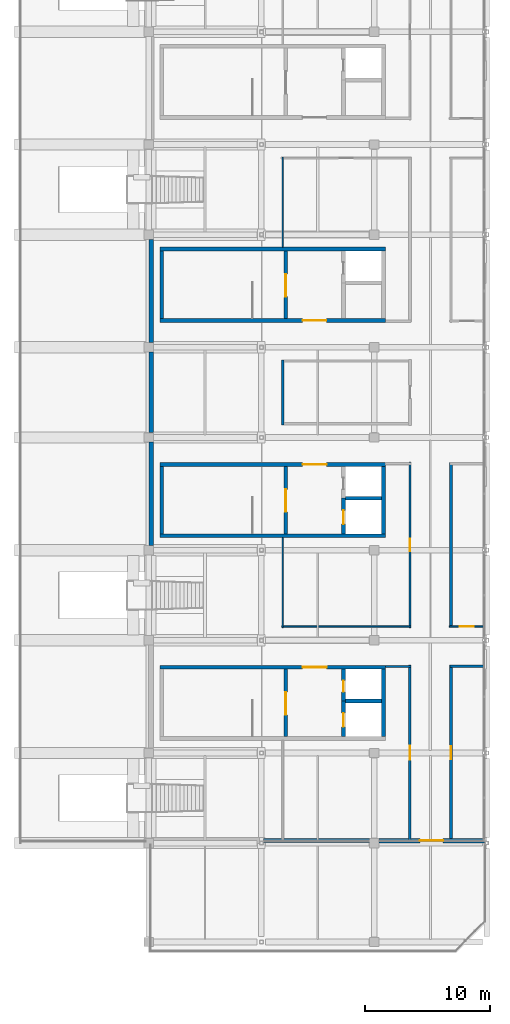
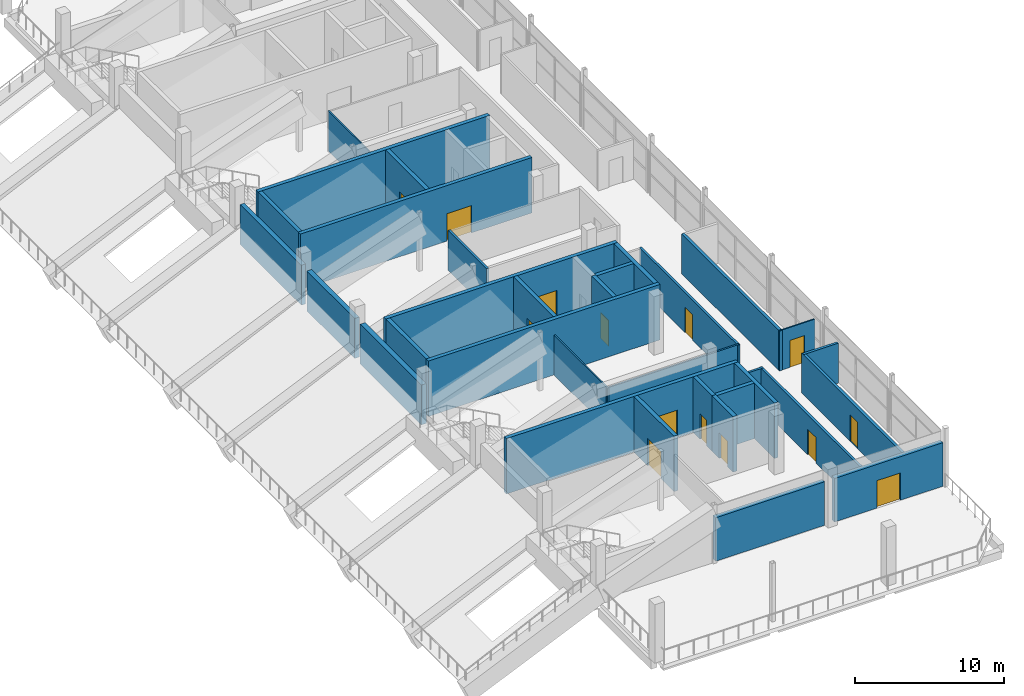
# One storey, part 53 of 66: 33 walls, 14 doors, 14 openings.
"""IFC4 building model written with IfcOpenShell, lengths in metres."""

from ifc_helpers import new_model, si_unit, direction, frame, frame_2d, origin, place, context, subcontext, project, spatial, rectangle, extrude, material, layer, layer_set, type_object, element, fill, save


model = new_model("IFC4")

# Units and contexts
model_context = context("Model", 3, precision=1e-05, world=origin(), true_north=direction((0.0, 1.0)))
body_context = subcontext(model_context, "Body", "Model", "MODEL_VIEW")
ifc_project = project(units=[si_unit("LENGTHUNIT", "METRE"), si_unit("AREAUNIT", "SQUARE_METRE"), si_unit("VOLUMEUNIT", "CUBIC_METRE"), si_unit("PLANEANGLEUNIT", "RADIAN"), si_unit("MASSUNIT", "GRAM", prefix="KILO"), si_unit("THERMODYNAMICTEMPERATUREUNIT", "KELVIN"), si_unit("POWERUNIT", "WATT")], contexts=[model_context])

# Site, building, storey
site_placement = place(None, origin())
site = spatial("IfcSite", under=ifc_project, at=site_placement, CompositionType="ELEMENT")
building_placement = place(site_placement, origin())
building = spatial("IfcBuilding", under=site, at=building_placement, Name="Sindhuravela Promenade Stadium", CompositionType="ELEMENT")
storey_placement = place(building_placement, frame((0.0, 0.0, 19.199951171875)))
storey = spatial("IfcBuildingStorey", under=building, at=storey_placement, Name="L04", CompositionType="ELEMENT", Elevation=19.199951171875)

# Walls
ifc_material_1 = material(Name="Terracotta clay brick masonry (15 MPa)", Category="masonry")
ifc_layer_1 = layer(ifc_material_1, 0.340087890625)
ifc_layer_set_1 = layer_set([ifc_layer_1], Name="Terracotta clay brick masonry (15 MPa)")
wall_type_1 = type_object("IfcWallType", Name="EX-WL-BRK340", PredefinedType="SOLIDWALL", material=ifc_layer_set_1)
wall_1_placement = place(storey_placement, frame((180.199951171875, 84.97998046875, 0.0), z_axis=(0.0, 0.0, 1.0), x_axis=(0.0, 1.0, 0.0)))
element("IfcWall", 1, at=wall_1_placement, inside=storey, type_object=wall_type_1, Name="Exterior masonry wall EW06 EAST L04", PredefinedType="SOLIDWALL", context=body_context, shape_type="SweptSolid", body=[
    extrude(rectangle(XDim=8.239990234375, YDim=0.340087890625, at=frame_2d((4.1201171875, 0.0))), origin(), (0.0, 0.0, 1.0), 3.280029296875),
])
wall_2_placement = place(storey_placement, frame((197.6201171875, 45.199951171875, 0.0), z_axis=(0.0, 0.0, 1.0), x_axis=(-1.0, 0.0, 0.0)))
element("IfcWall", 2, at=wall_2_placement, inside=storey, type_object=wall_type_1, Name="Exterior masonry wall EW06 EAST L04", PredefinedType="SOLIDWALL", context=body_context, shape_type="SweptSolid", body=[
    extrude(rectangle(XDim=8.465087890625, YDim=0.340087890625, at=frame_2d((4.232421875, 0.0))), origin(), (0.0, 0.0, 1.0), 3.580078125),
])
ifc_layer_2 = layer(ifc_material_1, 0.360107421875)
ifc_layer_set_2 = layer_set([ifc_layer_2], Name="Terracotta clay brick masonry (15 MPa)")
wall_type_2 = type_object("IfcWallType", Name="EX-WL-BRK360", PredefinedType="SOLIDWALL", material=ifc_layer_set_2)
wall_3_placement = place(storey_placement, frame((180.199951171875, 77.780029296875, 0.0), z_axis=(0.0, 0.0, 1.0), x_axis=(0.0, 1.0, 0.0)))
element("IfcWall", 3, at=wall_3_placement, inside=storey, type_object=wall_type_2, Name="Exterior masonry wall EW05 EAST L04", PredefinedType="SOLIDWALL", context=body_context, shape_type="SweptSolid", body=[
    extrude(rectangle(XDim=6.43994140625, YDim=0.360107421875, at=frame_2d((3.219970703125, 0.0))), origin(), (0.0, 0.0, 1.0), 3.280029296875),
])

# Wall, opening, door
wall_4_placement = place(storey_placement, frame((206.800048828125, 45.199951171875, 0.0), z_axis=(0.0, 0.0, 1.0), x_axis=(-1.0, 0.0, 0.0)))
wall_4 = element("IfcWall", 4, at=wall_4_placement, inside=storey, type_object=wall_type_2, Name="Exterior masonry wall EW05 EAST L04", PredefinedType="SOLIDWALL", context=body_context, shape_type="SweptSolid", body=[
    extrude(rectangle(XDim=8.420166015625, YDim=0.360107421875, at=frame_2d((4.2099609375, 0.0))), origin(), (0.0, 0.0, 1.0), 3.580078125),
])
opening_1_placement = place(wall_4_placement, frame((3.284912109375, 0.0, 0.0)))
opening_1 = element("IfcOpeningElement", 5, at=opening_1_placement, cuts=wall_4, Name="Opening TD02", PredefinedType="OPENING", context=body_context, shape_type="SweptSolid", body=[
    extrude(rectangle(XDim=1.85009765625, YDim=2.25, at=frame_2d((0.925048828125, 1.125))), frame((0.0, 0.18994140625, 0.0), z_axis=(0.0, -1.0, 0.0), x_axis=(1.0, 0.0, 0.0)), (0.0, 0.0, 1.0), 0.380126953125),
])
ifc_material_2 = material(Name="Anodised architectural aluminium 6063-T6", Category="aluminium")
door_type_1 = type_object("IfcDoorType", Name="DR-TER-1850x2250", OperationType="DOUBLE_DOOR_SINGLE_SWING", PredefinedType="DOOR", material=ifc_material_2)
door_1_placement = place(opening_1_placement, origin())
door_1 = element("IfcDoor", 6, at=door_1_placement, inside=storey, type_object=door_type_1, Name="Terrace access door East Upper South Planted Roof Garden", OperationType="DOUBLE_DOOR_SINGLE_SWING", OverallHeight=2.25, OverallWidth=1.85009765625, PredefinedType="DOOR", context=body_context, shape_type="SweptSolid", body=[
    extrude(rectangle(XDim=1.85009765625, YDim=2.25, at=frame_2d((0.925048828125, 1.125))), frame((0.0, 0.02490234375, 0.0), z_axis=(0.0, -1.0, 0.0), x_axis=(1.0, 0.0, 0.0)), (0.0, 0.0, 1.0), 0.050048828125),
])
fill(opening_1, door_1)

# Walls
ifc_layer_3 = layer(ifc_material_1, 0.3798828125)
ifc_layer_set_3 = layer_set([ifc_layer_3], Name="Terracotta clay brick masonry (15 MPa)")
wall_type_3 = type_object("IfcWallType", Name="EX-WL-BRK380", PredefinedType="SOLIDWALL", material=ifc_layer_set_3)
wall_5_placement = place(storey_placement, frame((180.199951171875, 68.780029296875, 0.0), z_axis=(0.0, 0.0, 1.0), x_axis=(0.0, 1.0, 0.0)))
element("IfcWall", 7, at=wall_5_placement, inside=storey, type_object=wall_type_3, Name="Exterior masonry wall EW04 EAST L04", PredefinedType="SOLIDWALL", context=body_context, shape_type="SweptSolid", body=[
    extrude(rectangle(XDim=8.239990234375, YDim=0.3798828125, at=frame_2d((4.1201171875, 0.0))), origin(), (0.0, 0.0, 1.0), 3.280029296875),
])
ifc_material_3 = material(Name="Fire-rated gypsum partition board", Category="gypsum")
ifc_layer_4 = layer(ifc_material_3, 0.110107421875)
ifc_layer_set_4 = layer_set([ifc_layer_4], Name="Fire-rated gypsum partition board")
wall_type_4 = type_object("IfcWallType", Name="IN-WL-PAR110", PredefinedType="PARTITIONING", material=ifc_layer_set_4)
for number, where, z_axis, x_axis, name in (
    (8, (190.7099609375, 92.60205078125, 0.0), (0.0, 0.0, 1.0), (0.0, 1.0, 0.0), "Interior partition IW06 EAST L04"),
    (9, (190.7099609375, 62.2099609375, 0.0), (0.0, 0.0, 1.0), (0.0, 1.0, 0.0), "Interior partition IW06 EAST L04"),
):
    element("IfcWall", number, at=place(storey_placement, frame(where, z_axis=z_axis, x_axis=x_axis)), inside=storey, type_object=wall_type_4, Name=name, PredefinedType="PARTITIONING", context=body_context, shape_type="SweptSolid", body=[
        extrude(rectangle(XDim=7.18798828125, YDim=0.110107421875, at=frame_2d((3.593994140625, 0.0))), origin(), (0.0, 0.0, 1.0), 3.280029296875),
    ])

# Wall, opening, door
wall_6_placement = place(storey_placement, frame((204.02001953125, 62.2900390625, 0.0), z_axis=(0.0, 0.0, 1.0), x_axis=(1.0, 0.0, 0.0)))
wall_6 = element("IfcWall", 10, at=wall_6_placement, inside=storey, type_object=wall_type_4, Name="Corridor partition IW06 Upper Concourse Food Kiosk E4 4", PredefinedType="PARTITIONING", context=body_context, shape_type="SweptSolid", body=[
    extrude(rectangle(XDim=2.780029296875, YDim=0.110107421875, at=frame_2d((1.39013671875, 0.0))), origin(), (0.0, 0.0, 1.0), 3.280029296875),
])
opening_2_placement = place(wall_6_placement, frame((0.830078125, 0.0, 0.0)))
opening_2 = element("IfcOpeningElement", 11, at=opening_2_placement, cuts=wall_6, Name="Opening ID13", PredefinedType="OPENING", context=body_context, shape_type="SweptSolid", body=[
    extrude(rectangle(XDim=1.1201171875, YDim=2.219970703125, at=frame_2d((0.56005859375, 1.10986328125))), frame((0.0, 0.06494140625, 0.0), z_axis=(0.0, -1.0, 0.0), x_axis=(1.0, 0.0, 0.0)), (0.0, 0.0, 1.0), 0.130126953125),
])
ifc_material_4 = material(Name="Architectural teak timber leaf", Category="wood")
door_type_2 = type_object("IfcDoorType", Name="DR-INT-1120x2220", OperationType="NOTDEFINED", PredefinedType="DOOR", material=ifc_material_4)
door_2_placement = place(opening_2_placement, origin())
door_2 = element("IfcDoor", 12, at=door_2_placement, inside=storey, type_object=door_type_2, Name="Upper Concourse Food Kiosk E4 4 door", OperationType="SINGLE_SWING_LEFT", OverallHeight=2.219970703125, OverallWidth=1.1201171875, PredefinedType="DOOR", context=body_context, shape_type="SweptSolid", body=[
    extrude(rectangle(XDim=1.1201171875, YDim=2.219970703125, at=frame_2d((0.56005859375, 1.10986328125))), frame((0.0, 0.02490234375, 0.0), z_axis=(0.0, -1.0, 0.0), x_axis=(1.0, 0.0, 0.0)), (0.0, 0.0, 1.0), 0.050048828125),
])
fill(opening_2, door_2)

# Walls
ifc_layer_5 = layer(ifc_material_3, 0.1298828125)
ifc_layer_set_5 = layer_set([ifc_layer_5], Name="Fire-rated gypsum partition board")
wall_type_5 = type_object("IfcWallType", Name="IN-WL-PAR130", PredefinedType="PARTITIONING", material=ifc_layer_set_5)
wall_7_placement = place(storey_placement, frame((200.93994140625, 62.2900390625, 0.0), z_axis=(0.0, 0.0, 1.0), x_axis=(-1.0, 0.0, 0.0)))
element("IfcWall", 13, at=wall_7_placement, inside=storey, type_object=wall_type_5, Name="Interior partition IW05 EAST L04", PredefinedType="PARTITIONING", context=body_context, shape_type="SweptSolid", body=[
    extrude(rectangle(XDim=10.31005859375, YDim=0.1298828125, at=frame_2d((5.155029296875, 0.0))), origin(), (0.0, 0.0, 1.0), 3.280029296875),
])
ifc_layer_6 = layer(ifc_material_3, 0.175048828125)
ifc_layer_set_6 = layer_set([ifc_layer_6], Name="Fire-rated gypsum partition board")
wall_type_6 = type_object("IfcWallType", Name="IN-WL-PAR175", PredefinedType="PARTITIONING", material=ifc_layer_set_6)
wall_8_placement = place(storey_placement, frame((198.902099609375, 59.110107421875, 0.0), z_axis=(0.0, 0.0, 1.0), x_axis=(1.0, 0.0, 0.0)))
element("IfcWall", 14, at=wall_8_placement, inside=storey, type_object=wall_type_6, Name="Interior partition IW03 EAST L04", PredefinedType="PARTITIONING", context=body_context, shape_type="SweptSolid", body=[
    extrude(rectangle(XDim=2.037841796875, YDim=0.175048828125, at=frame_2d((1.01904296875, 0.0))), origin(), (0.0, 0.0, 1.0), 3.280029296875),
])

# Wall, opening, door
wall_9_placement = place(storey_placement, frame((200.860107421875, 62.169921875, 0.0), z_axis=(0.0, 0.0, 1.0), x_axis=(0.0, 1.0, 0.0)))
wall_9 = element("IfcWall", 15, at=wall_9_placement, inside=storey, type_object=wall_type_6, Name="Corridor partition IW03 Parkside Viewing Lounge East L04", PredefinedType="PARTITIONING", context=body_context, shape_type="SweptSolid", body=[
    extrude(rectangle(XDim=13.260009765625, YDim=0.175048828125, at=frame_2d((6.6298828125, 0.0))), origin(), (0.0, 0.0, 1.0), 3.280029296875),
])
opening_3_placement = place(wall_9_placement, frame((6.1298828125, 0.0, 0.0)))
opening_3 = element("IfcOpeningElement", 16, at=opening_3_placement, cuts=wall_9, Name="Opening ID08", PredefinedType="OPENING", context=body_context, shape_type="SweptSolid", body=[
    extrude(rectangle(XDim=1.0, YDim=2.10009765625, at=frame_2d((0.5, 1.050048828125))), frame((0.0, 0.097412109375, 0.0), z_axis=(0.0, -1.0, 0.0), x_axis=(1.0, 0.0, 0.0)), (0.0, 0.0, 1.0), 0.195068359375),
])
door_type_3 = type_object("IfcDoorType", Name="DR-INT-1000x2100", OperationType="NOTDEFINED", PredefinedType="DOOR", material=ifc_material_4)
door_3_placement = place(opening_3_placement, origin())
door_3 = element("IfcDoor", 17, at=door_3_placement, inside=storey, type_object=door_type_3, Name="Parkside Viewing Lounge East L04 door", OperationType="SINGLE_SWING_RIGHT", OverallHeight=2.10009765625, OverallWidth=1.0, PredefinedType="DOOR", context=body_context, shape_type="SweptSolid", body=[
    extrude(rectangle(XDim=1.0, YDim=2.10009765625, at=frame_2d((0.5, 1.050048828125))), frame((0.0, 0.02490234375, 0.0), z_axis=(0.0, -1.0, 0.0), x_axis=(1.0, 0.0, 0.0)), (0.0, 0.0, 1.0), 0.050048828125),
])
fill(opening_3, door_3)

# Wall
wall_10_placement = place(storey_placement, frame((190.7099609375, 78.409912109375, 0.0), z_axis=(0.0, 0.0, 1.0), x_axis=(0.0, 1.0, 0.0)))
element("IfcWall", 18, at=wall_10_placement, inside=storey, type_object=wall_type_6, Name="Interior partition IW03 EAST L04", PredefinedType="PARTITIONING", context=body_context, shape_type="SweptSolid", body=[
    extrude(rectangle(XDim=5.18017578125, YDim=0.175048828125, at=frame_2d((2.590087890625, 0.0))), origin(), (0.0, 0.0, 1.0), 3.280029296875),
])

# Wall, opening, door
ifc_layer_7 = layer(ifc_material_3, 0.195068359375)
ifc_layer_set_7 = layer_set([ifc_layer_7], Name="Fire-rated gypsum partition board")
wall_type_7 = type_object("IfcWallType", Name="IN-WL-PAR195", PredefinedType="PARTITIONING", material=ifc_layer_set_7)
wall_11_placement = place(storey_placement, frame((200.860107421875, 45.199951171875, 0.0), z_axis=(0.0, 0.0, 1.0), x_axis=(0.0, 1.0, 0.0)))
wall_11 = element("IfcWall", 19, at=wall_11_placement, inside=storey, type_object=wall_type_7, Name="Corridor partition IW02 East Upper Viewing Lounge", PredefinedType="PARTITIONING", context=body_context, shape_type="SweptSolid", body=[
    extrude(rectangle(XDim=14.030029296875, YDim=0.195068359375, at=frame_2d((7.01513671875, 0.0))), origin(), (0.0, 0.0, 1.0), 3.280029296875),
])
opening_4_placement = place(wall_11_placement, frame((6.465087890625, 0.0, 0.0)))
opening_4 = element("IfcOpeningElement", 20, at=opening_4_placement, cuts=wall_11, Name="Opening ID06", PredefinedType="OPENING", context=body_context, shape_type="SweptSolid", body=[
    extrude(rectangle(XDim=1.10009765625, YDim=2.10009765625, at=frame_2d((0.550048828125, 1.050048828125))), frame((0.0, 0.107421875, 0.0), z_axis=(0.0, -1.0, 0.0), x_axis=(1.0, 0.0, 0.0)), (0.0, 0.0, 1.0), 0.215087890625),
])
door_type_4 = type_object("IfcDoorType", Name="DR-INT-1100x2100", OperationType="NOTDEFINED", PredefinedType="DOOR", material=ifc_material_4)
door_4_placement = place(opening_4_placement, origin())
door_4 = element("IfcDoor", 21, at=door_4_placement, inside=storey, type_object=door_type_4, Name="East Upper Viewing Lounge door", OperationType="SINGLE_SWING_RIGHT", OverallHeight=2.10009765625, OverallWidth=1.10009765625, PredefinedType="DOOR", context=body_context, shape_type="SweptSolid", body=[
    extrude(rectangle(XDim=1.10009765625, YDim=2.10009765625, at=frame_2d((0.550048828125, 1.050048828125))), frame((0.0, 0.02490234375, 0.0), z_axis=(0.0, -1.0, 0.0), x_axis=(1.0, 0.0, 0.0)), (0.0, 0.0, 1.0), 0.050048828125),
])
fill(opening_4, door_4)

# Wall
wall_12_placement = place(storey_placement, frame((204.06005859375, 59.110107421875, 0.0), z_axis=(0.0, 0.0, 1.0), x_axis=(1.0, 0.0, 0.0)))
element("IfcWall", 22, at=wall_12_placement, inside=storey, type_object=wall_type_7, Name="Interior partition IW02 EAST L04", PredefinedType="PARTITIONING", context=body_context, shape_type="SweptSolid", body=[
    extrude(rectangle(XDim=2.70703125, YDim=0.195068359375, at=frame_2d((1.353515625, 0.0))), origin(), (0.0, 0.0, 1.0), 3.280029296875),
])

# Wall, opening, door
ifc_layer_8 = layer(ifc_material_3, 0.219970703125)
ifc_layer_set_8 = layer_set([ifc_layer_8], Name="Fire-rated gypsum partition board")
wall_type_8 = type_object("IfcWallType", Name="IN-WL-PAR220", PredefinedType="PARTITIONING", material=ifc_layer_set_8)
wall_13_placement = place(storey_placement, frame((204.139892578125, 59.22998046875, 0.0), z_axis=(0.0, 0.0, 1.0), x_axis=(0.0, -1.0, 0.0)))
wall_13 = element("IfcWall", 23, at=wall_13_placement, inside=storey, type_object=wall_type_8, Name="Corridor partition IW01 East Upper Concourse Hall 2", PredefinedType="PARTITIONING", context=body_context, shape_type="SweptSolid", body=[
    extrude(rectangle(XDim=14.030029296875, YDim=0.219970703125, at=frame_2d((7.01513671875, 0.0))), origin(), (0.0, 0.0, 1.0), 3.280029296875),
])
opening_5_placement = place(wall_13_placement, frame((6.5048828125, 0.0, 0.0)))
opening_5 = element("IfcOpeningElement", 24, at=opening_5_placement, cuts=wall_13, Name="Opening ID11", PredefinedType="OPENING", context=body_context, shape_type="SweptSolid", body=[
    extrude(rectangle(XDim=1.02001953125, YDim=2.159912109375, at=frame_2d((0.510009765625, 1.080078125))), frame((0.0, 0.119873046875, 0.0), z_axis=(0.0, -1.0, 0.0), x_axis=(1.0, 0.0, 0.0)), (0.0, 0.0, 1.0), 0.239990234375),
])
door_type_5 = type_object("IfcDoorType", Name="DR-INT-1020x2160", OperationType="NOTDEFINED", PredefinedType="DOOR", material=ifc_material_4)
door_5_placement = place(opening_5_placement, origin())
door_5 = element("IfcDoor", 25, at=door_5_placement, inside=storey, type_object=door_type_5, Name="East Upper Concourse Hall 2 door", OperationType="SINGLE_SWING_LEFT", OverallHeight=2.159912109375, OverallWidth=1.02001953125, PredefinedType="DOOR", context=body_context, shape_type="SweptSolid", body=[
    extrude(rectangle(XDim=1.02001953125, YDim=2.159912109375, at=frame_2d((0.510009765625, 1.080078125))), frame((0.0, 0.02490234375, 0.0), z_axis=(0.0, -1.0, 0.0), x_axis=(1.0, 0.0, 0.0)), (0.0, 0.0, 1.0), 0.050048828125),
])
fill(opening_5, door_5)

# Wall
wall_14_placement = place(storey_placement, frame((204.139892578125, 62.2099609375, 0.0), z_axis=(0.0, 0.0, 1.0), x_axis=(0.0, 1.0, 0.0)))
element("IfcWall", 26, at=wall_14_placement, inside=storey, type_object=wall_type_8, Name="Interior partition IW01 EAST L04", PredefinedType="PARTITIONING", context=body_context, shape_type="SweptSolid", body=[
    extrude(rectangle(XDim=13.179931640625, YDim=0.219970703125, at=frame_2d((6.58984375, 0.0))), origin(), (0.0, 0.0, 1.0), 3.280029296875),
])

# Wall, opening, door
ifc_material_5 = material(Name="Concrete M50", Category="concrete")
ifc_layer_9 = layer(ifc_material_5, 0.300048828125)
ifc_layer_set_9 = layer_set([ifc_layer_9], Name="Concrete M50")
wall_type_9 = type_object("IfcWallType", Name="RC-SW-300", PredefinedType="SHEAR", material=ifc_layer_set_9)
wall_15_placement = place(storey_placement, frame((198.89990234375, 59.050048828125, 0.0), z_axis=(0.0, 0.0, 1.0), x_axis=(-1.0, 0.0, 0.0)))
wall_15 = element("IfcWall", 27, at=wall_15_placement, inside=storey, type_object=wall_type_9, Name="Core shear wall C05-N (L04)", PredefinedType="SHEAR", context=body_context, shape_type="SweptSolid", body=[
    extrude(rectangle(XDim=18.0, YDim=0.300048828125, at=frame_2d((9.0, 0.0))), origin(), (0.0, 0.0, 1.0), 4.554931640625),
])
opening_6_placement = place(wall_15_placement, frame((4.699951171875, 0.0, 0.0)))
opening_6 = element("IfcOpeningElement", 28, at=opening_6_placement, cuts=wall_15, Name="Opening FD02", PredefinedType="OPENING", context=body_context, shape_type="SweptSolid", body=[
    extrude(rectangle(XDim=1.89990234375, YDim=2.25, at=frame_2d((0.949951171875, 1.125))), frame((0.0, 0.159912109375, 0.0), z_axis=(0.0, -1.0, 0.0), x_axis=(1.0, 0.0, 0.0)), (0.0, 0.0, 1.0), 0.320068359375),
])
ifc_material_6 = material(Name="Architectural wrought steel E350", Category="steel")
door_type_6 = type_object("IfcDoorType", Name="DR-LOB-1900x2250", OperationType="DOUBLE_DOOR_SINGLE_SWING", PredefinedType="DOOR", material=ifc_material_6)
door_6_placement = place(opening_6_placement, origin())
door_6 = element("IfcDoor", 29, at=door_6_placement, inside=storey, type_object=door_type_6, Name="Protected lobby entrance door C05 (L04)", OperationType="DOUBLE_DOOR_SINGLE_SWING", OverallHeight=2.25, OverallWidth=1.89990234375, PredefinedType="DOOR", context=body_context, shape_type="SweptSolid", body=[
    extrude(rectangle(XDim=1.89990234375, YDim=2.25, at=frame_2d((0.949951171875, 1.125))), frame((0.0, 0.02490234375, 0.0), z_axis=(0.0, -1.0, 0.0), x_axis=(1.0, 0.0, 0.0)), (0.0, 0.0, 1.0), 0.050048828125),
])
fill(opening_6, door_6)

# Wall
wall_16_placement = place(storey_placement, frame((198.75, 53.5, 0.0), z_axis=(0.0, 0.0, 1.0), x_axis=(0.0, 1.0, 0.0)))
element("IfcWall", 30, at=wall_16_placement, inside=storey, type_object=wall_type_9, Name="Core shear wall C05-E (L04)", PredefinedType="SHEAR", context=body_context, shape_type="SweptSolid", body=[
    extrude(rectangle(XDim=5.39990234375, YDim=0.300048828125, at=frame_2d((2.699951171875, 0.0))), origin(), (0.0, 0.0, 1.0), 4.554931640625),
])

# Wall, opening, door
wall_17_placement = place(storey_placement, frame((190.949951171875, 53.5, 0.0), z_axis=(0.0, 0.0, 1.0), x_axis=(0.0, 1.0, 0.0)))
wall_17 = element("IfcWall", 31, at=wall_17_placement, inside=storey, type_object=wall_type_9, Name="Core shear wall C05-ST (L04)", PredefinedType="SHEAR", context=body_context, shape_type="SweptSolid", body=[
    extrude(rectangle(XDim=5.39990234375, YDim=0.300048828125, at=frame_2d((2.699951171875, 0.0))), origin(), (0.0, 0.0, 1.0), 4.554931640625),
])
opening_7_placement = place(wall_17_placement, frame((1.75, 0.0, 0.0)))
opening_7 = element("IfcOpeningElement", 32, at=opening_7_placement, cuts=wall_17, Name="Opening FD01", PredefinedType="OPENING", context=body_context, shape_type="SweptSolid", body=[
    extrude(rectangle(XDim=1.800048828125, YDim=2.25, at=frame_2d((0.89990234375, 1.125))), frame((0.0, 0.159912109375, 0.0), z_axis=(0.0, -1.0, 0.0), x_axis=(1.0, 0.0, 0.0)), (0.0, 0.0, 1.0), 0.320068359375),
])
door_type_7 = type_object("IfcDoorType", Name="DR-CORE-1800x2250", OperationType="DOUBLE_DOOR_SINGLE_SWING", PredefinedType="DOOR", material=ifc_material_6)
door_7_placement = place(opening_7_placement, origin())
door_7 = element("IfcDoor", 33, at=door_7_placement, inside=storey, type_object=door_type_7, Name="Stair ST05 lobby fire door (L04)", OperationType="DOUBLE_DOOR_SINGLE_SWING", OverallHeight=2.25, OverallWidth=1.800048828125, PredefinedType="DOOR", context=body_context, shape_type="SweptSolid", body=[
    extrude(rectangle(XDim=1.800048828125, YDim=2.25, at=frame_2d((0.89990234375, 1.125))), frame((0.0, 0.02490234375, 0.0), z_axis=(0.0, -1.0, 0.0), x_axis=(1.0, 0.0, 0.0)), (0.0, 0.0, 1.0), 0.050048828125),
])
fill(opening_7, door_7)

wall_18_placement = place(storey_placement, frame((195.550048828125, 53.5, 0.0), z_axis=(0.0, 0.0, 1.0), x_axis=(0.0, 1.0, 0.0)))
wall_18 = element("IfcWall", 34, at=wall_18_placement, inside=storey, type_object=wall_type_9, Name="Core shear wall C05-LFT (L04)", PredefinedType="SHEAR", context=body_context, shape_type="SweptSolid", body=[
    extrude(rectangle(XDim=2.85009765625, YDim=0.300048828125, at=frame_2d((1.425048828125, 0.0))), origin(), (0.0, 0.0, 1.0), 4.554931640625),
])
opening_8_placement = place(wall_18_placement, frame((0.77490234375, 0.0, 0.0)))
opening_8 = element("IfcOpeningElement", 35, at=opening_8_placement, cuts=wall_18, Name="Opening LD", PredefinedType="OPENING", context=body_context, shape_type="SweptSolid", body=[
    extrude(rectangle(XDim=1.10009765625, YDim=2.10009765625, at=frame_2d((0.550048828125, 1.050048828125))), frame((0.0, 0.159912109375, 0.0), z_axis=(0.0, -1.0, 0.0), x_axis=(1.0, 0.0, 0.0)), (0.0, 0.0, 1.0), 0.320068359375),
])
door_type_8 = type_object("IfcDoorType", Name="DR-LFT-1100x2100", OperationType="DOUBLE_DOOR_SLIDING", PredefinedType="DOOR", material=ifc_material_6)
door_8_placement = place(opening_8_placement, origin())
door_8 = element("IfcDoor", 36, at=door_8_placement, inside=storey, type_object=door_type_8, Name="Lift PL01 landing door (L04)", OperationType="DOUBLE_DOOR_SLIDING", OverallHeight=2.10009765625, OverallWidth=1.10009765625, PredefinedType="DOOR", context=body_context, shape_type="SweptSolid", body=[
    extrude(rectangle(XDim=1.10009765625, YDim=2.10009765625, at=frame_2d((0.550048828125, 1.050048828125))), frame((0.0, 0.02490234375, 0.0), z_axis=(0.0, -1.0, 0.0), x_axis=(1.0, 0.0, 0.0)), (0.0, 0.0, 1.0), 0.050048828125),
])
fill(opening_8, door_8)

wall_19_placement = place(storey_placement, frame((195.550048828125, 56.35009765625, 0.0), z_axis=(0.0, 0.0, 1.0), x_axis=(0.0, 1.0, 0.0)))
wall_19 = element("IfcWall", 37, at=wall_19_placement, inside=storey, type_object=wall_type_9, Name="Core shear wall C05-RSR (L04)", PredefinedType="SHEAR", context=body_context, shape_type="SweptSolid", body=[
    extrude(rectangle(XDim=2.5498046875, YDim=0.300048828125, at=frame_2d((1.27490234375, 0.0))), origin(), (0.0, 0.0, 1.0), 4.554931640625),
])
opening_9_placement = place(wall_19_placement, frame((0.72509765625, 0.0, 0.0)))
opening_9 = element("IfcOpeningElement", 38, at=opening_9_placement, cuts=wall_19, Name="Opening FD03", PredefinedType="OPENING", context=body_context, shape_type="SweptSolid", body=[
    extrude(rectangle(XDim=0.89990234375, YDim=2.10009765625, at=frame_2d((0.449951171875, 1.050048828125))), frame((0.0, 0.159912109375, 0.0), z_axis=(0.0, -1.0, 0.0), x_axis=(1.0, 0.0, 0.0)), (0.0, 0.0, 1.0), 0.320068359375),
])
door_type_9 = type_object("IfcDoorType", Name="DR-RSR-900x2100", OperationType="NOTDEFINED", PredefinedType="DOOR", material=ifc_material_6)
door_9_placement = place(opening_9_placement, origin())
door_9 = element("IfcDoor", 39, at=door_9_placement, inside=storey, type_object=door_type_9, Name="Riser shaft access door C05 (L04)", OperationType="SINGLE_SWING_LEFT", OverallHeight=2.10009765625, OverallWidth=0.89990234375, PredefinedType="DOOR", context=body_context, shape_type="SweptSolid", body=[
    extrude(rectangle(XDim=0.89990234375, YDim=2.10009765625, at=frame_2d((0.449951171875, 1.050048828125))), frame((0.0, 0.02490234375, 0.0), z_axis=(0.0, -1.0, 0.0), x_axis=(1.0, 0.0, 0.0)), (0.0, 0.0, 1.0), 0.050048828125),
])
fill(opening_9, door_9)

# Walls
wall_20_placement = place(storey_placement, frame((195.699951171875, 56.35009765625, 0.0), z_axis=(0.0, 0.0, 1.0), x_axis=(1.0, 0.0, 0.0)))
element("IfcWall", 40, at=wall_20_placement, inside=storey, type_object=wall_type_9, Name="Core shear wall C05-DIV (L04)", PredefinedType="SHEAR", context=body_context, shape_type="SweptSolid", body=[
    extrude(rectangle(XDim=2.900146484375, YDim=0.300048828125, at=frame_2d((1.4501953125, 0.0))), origin(), (0.0, 0.0, 1.0), 4.554931640625),
])
wall_21_placement = place(storey_placement, frame((180.89990234375, 69.550048828125, 0.0), z_axis=(0.0, 0.0, 1.0), x_axis=(1.0, 0.0, 0.0)))
element("IfcWall", 41, at=wall_21_placement, inside=storey, type_object=wall_type_9, Name="Core shear wall C06-S (L04)", PredefinedType="SHEAR", context=body_context, shape_type="SweptSolid", body=[
    extrude(rectangle(XDim=18.0, YDim=0.300048828125, at=frame_2d((9.0, 0.0))), origin(), (0.0, 0.0, 1.0), 4.554931640625),
])

# Wall, opening, door
wall_22_placement = place(storey_placement, frame((198.89990234375, 75.25, 0.0), z_axis=(0.0, 0.0, 1.0), x_axis=(-1.0, 0.0, 0.0)))
wall_22 = element("IfcWall", 42, at=wall_22_placement, inside=storey, type_object=wall_type_9, Name="Core shear wall C06-N (L04)", PredefinedType="SHEAR", context=body_context, shape_type="SweptSolid", body=[
    extrude(rectangle(XDim=18.0, YDim=0.300048828125, at=frame_2d((9.0, 0.0))), origin(), (0.0, 0.0, 1.0), 4.554931640625),
])
opening_10_placement = place(wall_22_placement, frame((4.699951171875, 0.0, 0.0)))
opening_10 = element("IfcOpeningElement", 43, at=opening_10_placement, cuts=wall_22, Name="Opening FD02", PredefinedType="OPENING", context=body_context, shape_type="SweptSolid", body=[
    extrude(rectangle(XDim=1.89990234375, YDim=2.25, at=frame_2d((0.949951171875, 1.125))), frame((0.0, 0.159912109375, 0.0), z_axis=(0.0, -1.0, 0.0), x_axis=(1.0, 0.0, 0.0)), (0.0, 0.0, 1.0), 0.320068359375),
])
door_10_placement = place(opening_10_placement, origin())
door_10 = element("IfcDoor", 44, at=door_10_placement, inside=storey, type_object=door_type_6, Name="Protected lobby entrance door C06 (L04)", OperationType="DOUBLE_DOOR_SINGLE_SWING", OverallHeight=2.25, OverallWidth=1.89990234375, PredefinedType="DOOR", context=body_context, shape_type="SweptSolid", body=[
    extrude(rectangle(XDim=1.89990234375, YDim=2.25, at=frame_2d((0.949951171875, 1.125))), frame((0.0, 0.02490234375, 0.0), z_axis=(0.0, -1.0, 0.0), x_axis=(1.0, 0.0, 0.0)), (0.0, 0.0, 1.0), 0.050048828125),
])
fill(opening_10, door_10)

# Walls
for number, where, z_axis, x_axis, name in (
    (45, (181.050048828125, 75.10009765625, 0.0), (0.0, 0.0, 1.0), (0.0, -1.0, 0.0), "Core shear wall C06-W (L04)"),
    (46, (198.75, 69.699951171875, 0.0), (0.0, 0.0, 1.0), (0.0, 1.0, 0.0), "Core shear wall C06-E (L04)"),
):
    element("IfcWall", number, at=place(storey_placement, frame(where, z_axis=z_axis, x_axis=x_axis)), inside=storey, type_object=wall_type_9, Name=name, PredefinedType="SHEAR", context=body_context, shape_type="SweptSolid", body=[
        extrude(rectangle(XDim=5.400146484375, YDim=0.300048828125, at=frame_2d((2.7001953125, 0.0))), origin(), (0.0, 0.0, 1.0), 4.554931640625),
    ])

# Wall, opening, door
wall_23_placement = place(storey_placement, frame((190.949951171875, 69.699951171875, 0.0), z_axis=(0.0, 0.0, 1.0), x_axis=(0.0, 1.0, 0.0)))
wall_23 = element("IfcWall", 47, at=wall_23_placement, inside=storey, type_object=wall_type_9, Name="Core shear wall C06-ST (L04)", PredefinedType="SHEAR", context=body_context, shape_type="SweptSolid", body=[
    extrude(rectangle(XDim=5.400146484375, YDim=0.300048828125, at=frame_2d((2.7001953125, 0.0))), origin(), (0.0, 0.0, 1.0), 4.554931640625),
])
opening_11_placement = place(wall_23_placement, frame((1.75, 0.0, 0.0)))
opening_11 = element("IfcOpeningElement", 48, at=opening_11_placement, cuts=wall_23, Name="Opening FD01", PredefinedType="OPENING", context=body_context, shape_type="SweptSolid", body=[
    extrude(rectangle(XDim=1.800048828125, YDim=2.25, at=frame_2d((0.89990234375, 1.125))), frame((0.0, 0.159912109375, 0.0), z_axis=(0.0, -1.0, 0.0), x_axis=(1.0, 0.0, 0.0)), (0.0, 0.0, 1.0), 0.320068359375),
])
door_11_placement = place(opening_11_placement, origin())
door_11 = element("IfcDoor", 49, at=door_11_placement, inside=storey, type_object=door_type_7, Name="Stair ST06 lobby fire door (L04)", OperationType="DOUBLE_DOOR_SINGLE_SWING", OverallHeight=2.25, OverallWidth=1.800048828125, PredefinedType="DOOR", context=body_context, shape_type="SweptSolid", body=[
    extrude(rectangle(XDim=1.800048828125, YDim=2.25, at=frame_2d((0.89990234375, 1.125))), frame((0.0, 0.02490234375, 0.0), z_axis=(0.0, -1.0, 0.0), x_axis=(1.0, 0.0, 0.0)), (0.0, 0.0, 1.0), 0.050048828125),
])
fill(opening_11, door_11)

wall_24_placement = place(storey_placement, frame((195.550048828125, 69.699951171875, 0.0), z_axis=(0.0, 0.0, 1.0), x_axis=(0.0, 1.0, 0.0)))
wall_24 = element("IfcWall", 50, at=wall_24_placement, inside=storey, type_object=wall_type_9, Name="Core shear wall C06-LFT (L04)", PredefinedType="SHEAR", context=body_context, shape_type="SweptSolid", body=[
    extrude(rectangle(XDim=2.85009765625, YDim=0.300048828125, at=frame_2d((1.425048828125, 0.0))), origin(), (0.0, 0.0, 1.0), 4.554931640625),
])
opening_12_placement = place(wall_24_placement, frame((0.77490234375, 0.0, 0.0)))
opening_12 = element("IfcOpeningElement", 51, at=opening_12_placement, cuts=wall_24, Name="Opening LD", PredefinedType="OPENING", context=body_context, shape_type="SweptSolid", body=[
    extrude(rectangle(XDim=1.10009765625, YDim=2.10009765625, at=frame_2d((0.550048828125, 1.050048828125))), frame((0.0, 0.159912109375, 0.0), z_axis=(0.0, -1.0, 0.0), x_axis=(1.0, 0.0, 0.0)), (0.0, 0.0, 1.0), 0.320068359375),
])
door_12_placement = place(opening_12_placement, origin())
door_12 = element("IfcDoor", 52, at=door_12_placement, inside=storey, type_object=door_type_8, Name="Lift PL02 landing door (L04)", OperationType="DOUBLE_DOOR_SLIDING", OverallHeight=2.10009765625, OverallWidth=1.10009765625, PredefinedType="DOOR", context=body_context, shape_type="SweptSolid", body=[
    extrude(rectangle(XDim=1.10009765625, YDim=2.10009765625, at=frame_2d((0.550048828125, 1.050048828125))), frame((0.0, 0.02490234375, 0.0), z_axis=(0.0, -1.0, 0.0), x_axis=(1.0, 0.0, 0.0)), (0.0, 0.0, 1.0), 0.050048828125),
])
fill(opening_12, door_12)

# Wall
wall_25_placement = place(storey_placement, frame((195.699951171875, 72.550048828125, 0.0), z_axis=(0.0, 0.0, 1.0), x_axis=(1.0, 0.0, 0.0)))
element("IfcWall", 53, at=wall_25_placement, inside=storey, type_object=wall_type_9, Name="Core shear wall C06-DIV (L04)", PredefinedType="SHEAR", context=body_context, shape_type="SweptSolid", body=[
    extrude(rectangle(XDim=2.900146484375, YDim=0.300048828125, at=frame_2d((1.4501953125, 0.0))), origin(), (0.0, 0.0, 1.0), 4.554931640625),
])

# Wall, opening, door
wall_26_placement = place(storey_placement, frame((180.89990234375, 86.75, 0.0), z_axis=(0.0, 0.0, 1.0), x_axis=(1.0, 0.0, 0.0)))
wall_26 = element("IfcWall", 54, at=wall_26_placement, inside=storey, type_object=wall_type_9, Name="Core shear wall C07-S (L04)", PredefinedType="SHEAR", context=body_context, shape_type="SweptSolid", body=[
    extrude(rectangle(XDim=18.0, YDim=0.300048828125, at=frame_2d((9.0, 0.0))), origin(), (0.0, 0.0, 1.0), 4.554931640625),
])
opening_13_placement = place(wall_26_placement, frame((11.39990234375, 0.0, 0.0)))
opening_13 = element("IfcOpeningElement", 55, at=opening_13_placement, cuts=wall_26, Name="Opening FD02", PredefinedType="OPENING", context=body_context, shape_type="SweptSolid", body=[
    extrude(rectangle(XDim=1.89990234375, YDim=2.25, at=frame_2d((0.949951171875, 1.125))), frame((0.0, 0.159912109375, 0.0), z_axis=(0.0, -1.0, 0.0), x_axis=(1.0, 0.0, 0.0)), (0.0, 0.0, 1.0), 0.320068359375),
])
door_13_placement = place(opening_13_placement, origin())
door_13 = element("IfcDoor", 56, at=door_13_placement, inside=storey, type_object=door_type_6, Name="Protected lobby entrance door C07 (L04)", OperationType="DOUBLE_DOOR_SINGLE_SWING", OverallHeight=2.25, OverallWidth=1.89990234375, PredefinedType="DOOR", context=body_context, shape_type="SweptSolid", body=[
    extrude(rectangle(XDim=1.89990234375, YDim=2.25, at=frame_2d((0.949951171875, 1.125))), frame((0.0, 0.02490234375, 0.0), z_axis=(0.0, -1.0, 0.0), x_axis=(1.0, 0.0, 0.0)), (0.0, 0.0, 1.0), 0.050048828125),
])
fill(opening_13, door_13)

# Walls
wall_27_placement = place(storey_placement, frame((198.89990234375, 92.449951171875, 0.0), z_axis=(0.0, 0.0, 1.0), x_axis=(-1.0, 0.0, 0.0)))
element("IfcWall", 57, at=wall_27_placement, inside=storey, type_object=wall_type_9, Name="Core shear wall C07-N (L04)", PredefinedType="SHEAR", context=body_context, shape_type="SweptSolid", body=[
    extrude(rectangle(XDim=18.0, YDim=0.300048828125, at=frame_2d((9.0, 0.0))), origin(), (0.0, 0.0, 1.0), 4.554931640625),
])
wall_28_placement = place(storey_placement, frame((181.050048828125, 92.300048828125, 0.0), z_axis=(0.0, 0.0, 1.0), x_axis=(0.0, -1.0, 0.0)))
element("IfcWall", 58, at=wall_28_placement, inside=storey, type_object=wall_type_9, Name="Core shear wall C07-W (L04)", PredefinedType="SHEAR", context=body_context, shape_type="SweptSolid", body=[
    extrude(rectangle(XDim=5.400146484375, YDim=0.300048828125, at=frame_2d((2.7001953125, 0.0))), origin(), (0.0, 0.0, 1.0), 4.554931640625),
])

# Wall, opening, door
wall_29_placement = place(storey_placement, frame((190.949951171875, 86.89990234375, 0.0), z_axis=(0.0, 0.0, 1.0), x_axis=(0.0, 1.0, 0.0)))
wall_29 = element("IfcWall", 59, at=wall_29_placement, inside=storey, type_object=wall_type_9, Name="Core shear wall C07-ST (L04)", PredefinedType="SHEAR", context=body_context, shape_type="SweptSolid", body=[
    extrude(rectangle(XDim=5.400146484375, YDim=0.300048828125, at=frame_2d((2.7001953125, 0.0))), origin(), (0.0, 0.0, 1.0), 4.554931640625),
])
opening_14_placement = place(wall_29_placement, frame((1.75, 0.0, 0.0)))
opening_14 = element("IfcOpeningElement", 60, at=opening_14_placement, cuts=wall_29, Name="Opening FD01", PredefinedType="OPENING", context=body_context, shape_type="SweptSolid", body=[
    extrude(rectangle(XDim=1.800048828125, YDim=2.25, at=frame_2d((0.89990234375, 1.125))), frame((0.0, 0.159912109375, 0.0), z_axis=(0.0, -1.0, 0.0), x_axis=(1.0, 0.0, 0.0)), (0.0, 0.0, 1.0), 0.320068359375),
])
door_14_placement = place(opening_14_placement, origin())
door_14 = element("IfcDoor", 61, at=door_14_placement, inside=storey, type_object=door_type_7, Name="Stair ST07 lobby fire door (L04)", OperationType="DOUBLE_DOOR_SINGLE_SWING", OverallHeight=2.25, OverallWidth=1.800048828125, PredefinedType="DOOR", context=body_context, shape_type="SweptSolid", body=[
    extrude(rectangle(XDim=1.800048828125, YDim=2.25, at=frame_2d((0.89990234375, 1.125))), frame((0.0, 0.02490234375, 0.0), z_axis=(0.0, -1.0, 0.0), x_axis=(1.0, 0.0, 0.0)), (0.0, 0.0, 1.0), 0.050048828125),
])
fill(opening_14, door_14)

save(model, "model.ifc")
